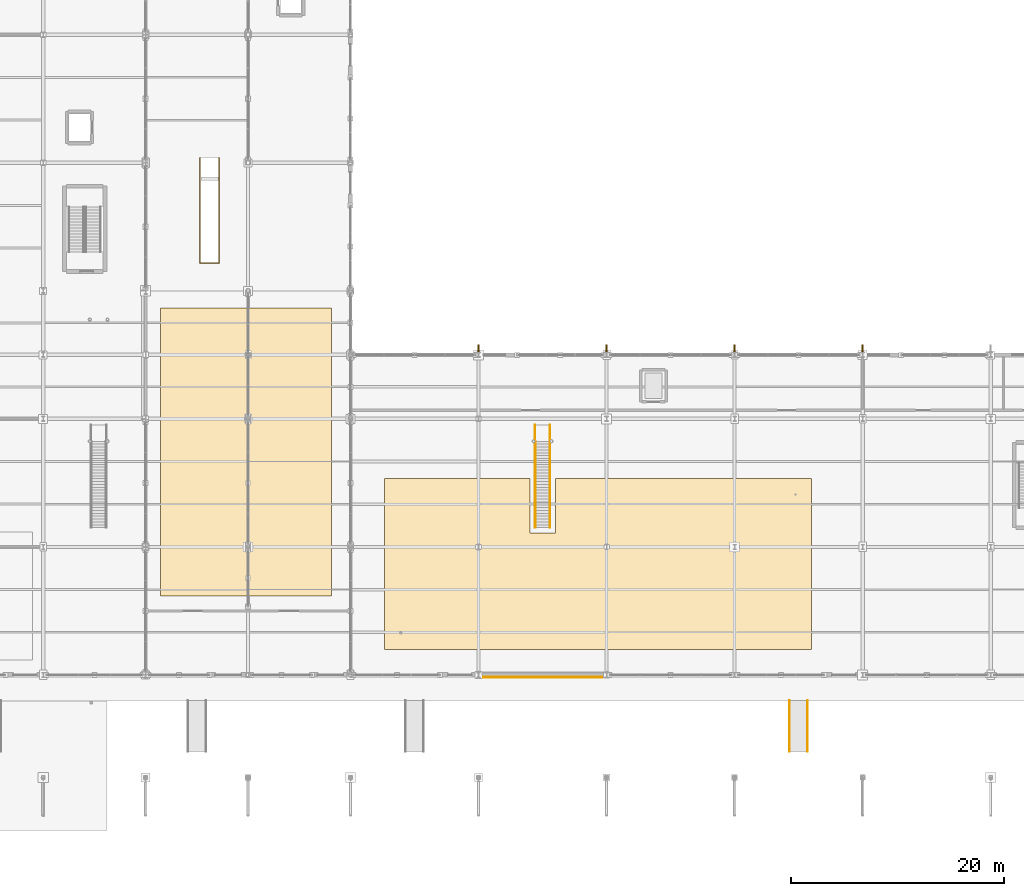
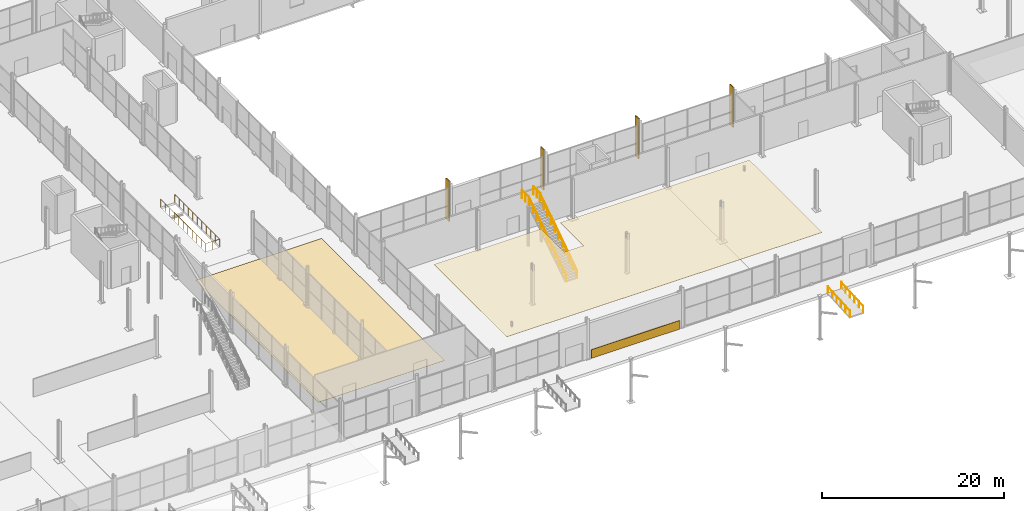
# One storey, part 191 of 196: 7 coverings, 7 railings.
"""IFC4 building model written with IfcOpenShell, lengths in metres."""

from ifc_helpers import new_model, si_unit, direction, frame, origin, origin_2d, place, context, subcontext, project, spatial, polyline, circle, outline, extrude, material, layer, layer_set, type_object, element, save


model = new_model("IFC4")

# Units and contexts
model_context = context("Model", 3, precision=1e-05, world=origin(), true_north=direction((0.0, 1.0)))
body_context = subcontext(model_context, "Body", "Model", "MODEL_VIEW")
ifc_project = project(units=[si_unit("LENGTHUNIT", "METRE"), si_unit("AREAUNIT", "SQUARE_METRE"), si_unit("VOLUMEUNIT", "CUBIC_METRE"), si_unit("PLANEANGLEUNIT", "RADIAN"), si_unit("MASSUNIT", "GRAM", prefix="KILO")], contexts=[model_context])

# Site, building, storey
site_placement = place(None, origin())
site = spatial("IfcSite", under=ifc_project, at=site_placement, CompositionType="ELEMENT")
building_placement = place(site_placement, origin())
building = spatial("IfcBuilding", under=site, at=building_placement, Name="Merenkruunu Market Hall", CompositionType="ELEMENT")
storey_placement = place(building_placement, origin())
storey = spatial("IfcBuildingStorey", under=building, at=storey_placement, Name="L00", CompositionType="ELEMENT", Elevation=0.0)

# Coverings
ifc_material_1 = material(Name="Precast concrete C40/50", Category="concrete")
ifc_layer_1 = layer(ifc_material_1, 0.139892578125)
ifc_layer_set_1 = layer_set([ifc_layer_1], Name="Precast concrete C40/50")
covering_type_1 = type_object("IfcCoveringType", Name="Architectural Precast Sun Fin CLD02", PredefinedType="CLADDING", material=ifc_layer_set_1)
covering_1_placement = place(storey_placement, origin())
element("IfcCovering", 1, at=covering_1_placement, inside=storey, type_object=covering_type_1, Name="FIN-N-L00-054", PredefinedType="CLADDING", context=body_context, shape_type="SweptSolid", body=[
    extrude(outline(polyline([(88.72998046875, 45.818115234375), (88.8701171875, 45.818115234375), (88.8701171875, 46.5400390625), (88.72998046875, 46.5400390625), (88.72998046875, 45.818115234375)])), origin(), (0.0, 0.0, 1.0), 5.39990234375),
])
covering_2_placement = place(storey_placement, origin())
element("IfcCovering", 2, at=covering_2_placement, inside=storey, type_object=covering_type_1, Name="FIN-N-L00-057", PredefinedType="CLADDING", context=body_context, shape_type="SweptSolid", body=[
    extrude(outline(polyline([(100.72998046875, 45.818115234375), (100.8701171875, 45.818115234375), (100.8701171875, 46.5400390625), (100.72998046875, 46.5400390625), (100.72998046875, 45.818115234375)])), origin(), (0.0, 0.0, 1.0), 5.39990234375),
])
covering_3_placement = place(storey_placement, origin())
element("IfcCovering", 3, at=covering_3_placement, inside=storey, type_object=covering_type_1, Name="FIN-N-L00-060", PredefinedType="CLADDING", context=body_context, shape_type="SweptSolid", body=[
    extrude(outline(polyline([(112.72998046875, 45.818115234375), (112.8701171875, 45.818115234375), (112.8701171875, 46.5400390625), (112.72998046875, 46.5400390625), (112.72998046875, 45.818115234375)])), origin(), (0.0, 0.0, 1.0), 5.39990234375),
])
covering_4_placement = place(storey_placement, origin())
element("IfcCovering", 4, at=covering_4_placement, inside=storey, type_object=covering_type_1, Name="FIN-N-L00-063", PredefinedType="CLADDING", context=body_context, shape_type="SweptSolid", body=[
    extrude(outline(polyline([(124.72998046875, 45.818115234375), (124.8701171875, 45.818115234375), (124.8701171875, 46.5400390625), (124.72998046875, 46.5400390625), (124.72998046875, 45.818115234375)])), origin(), (0.0, 0.0, 1.0), 5.39990234375),
])

# Railings
ifc_material_2 = material(Name="Brushed stainless steel", Category="steel")
railing_type_1 = type_object("IfcRailingType", Name="Gallery Balustrade Guard GR01", PredefinedType="BALUSTRADE", material=ifc_material_2)
railing_1_placement = place(storey_placement, frame((62.7099609375, 64.050048828125, 0.0)))
element("IfcRailing", 5, at=railing_1_placement, inside=storey, type_object=railing_type_1, Name="RAIL-L00-0098", PredefinedType="BALUSTRADE", context=body_context, shape_type="SweptSolid", body=[
    extrude(circle(Radius=0.02392578125, at=origin_2d()), frame((0.0, 0.0, 1.076171875), z_axis=(0.0, -1.0, 0.0), x_axis=(1.0, 0.0, 0.0)), (0.0, 0.0, 1.0), 9.85009765625),
    extrude(circle(Radius=0.02392578125, at=origin_2d()), frame((0.0, -9.85009765625, 1.076171875), z_axis=(1.0, 0.0, 0.0), x_axis=(0.0, 1.0, 0.0)), (0.0, 0.0, 1.0), 1.780029296875),
    extrude(circle(Radius=0.02392578125, at=origin_2d()), frame((1.780029296875, -9.85009765625, 1.076171875), z_axis=(0.0, 1.0, 0.0), x_axis=(-1.0, 0.0, 0.0)), (0.0, 0.0, 1.0), 9.85009765625),
    extrude(circle(Radius=0.02099609375, at=origin_2d()), origin(), (0.0, 0.0, 1.0), 1.052001953125),
    extrude(circle(Radius=0.02099609375, at=origin_2d()), frame((0.0, -0.985107421875, 0.0)), (0.0, 0.0, 1.0), 1.052001953125),
    extrude(circle(Radius=0.02099609375, at=origin_2d()), frame((0.0, -1.969970703125, 0.0)), (0.0, 0.0, 1.0), 1.052001953125),
    extrude(circle(Radius=0.02099609375, at=origin_2d()), frame((0.0, -2.955078125, 0.0)), (0.0, 0.0, 1.0), 1.052001953125),
    extrude(circle(Radius=0.02099609375, at=origin_2d()), frame((0.0, -3.93994140625, 0.0)), (0.0, 0.0, 1.0), 1.052001953125),
    extrude(circle(Radius=0.02099609375, at=origin_2d()), frame((0.0, -4.925048828125, 0.0)), (0.0, 0.0, 1.0), 1.052001953125),
    extrude(circle(Radius=0.02099609375, at=origin_2d()), frame((0.0, -5.91015625, 0.0)), (0.0, 0.0, 1.0), 1.052001953125),
    extrude(circle(Radius=0.02099609375, at=origin_2d()), frame((0.0, -6.89501953125, 0.0)), (0.0, 0.0, 1.0), 1.052001953125),
    extrude(circle(Radius=0.02099609375, at=origin_2d()), frame((0.0, -7.880126953125, 0.0)), (0.0, 0.0, 1.0), 1.052001953125),
    extrude(circle(Radius=0.02099609375, at=origin_2d()), frame((0.0, -8.864990234375, 0.0)), (0.0, 0.0, 1.0), 1.052001953125),
    extrude(circle(Radius=0.02099609375, at=origin_2d()), frame((0.0, -9.85009765625, 0.0)), (0.0, 0.0, 1.0), 1.052001953125),
    extrude(circle(Radius=0.02099609375, at=origin_2d()), frame((0.89013671875, -9.85009765625, 0.0)), (0.0, 0.0, 1.0), 1.052001953125),
    extrude(circle(Radius=0.02099609375, at=origin_2d()), frame((1.780029296875, -9.85009765625, 0.0)), (0.0, 0.0, 1.0), 1.052001953125),
    extrude(circle(Radius=0.02099609375, at=origin_2d()), frame((1.780029296875, -8.864990234375, 0.0)), (0.0, 0.0, 1.0), 1.052001953125),
    extrude(circle(Radius=0.02099609375, at=origin_2d()), frame((1.780029296875, -7.880126953125, 0.0)), (0.0, 0.0, 1.0), 1.052001953125),
    extrude(circle(Radius=0.02099609375, at=origin_2d()), frame((1.780029296875, -6.89501953125, 0.0)), (0.0, 0.0, 1.0), 1.052001953125),
    extrude(circle(Radius=0.02099609375, at=origin_2d()), frame((1.780029296875, -5.91015625, 0.0)), (0.0, 0.0, 1.0), 1.052001953125),
    extrude(circle(Radius=0.02099609375, at=origin_2d()), frame((1.780029296875, -4.925048828125, 0.0)), (0.0, 0.0, 1.0), 1.052001953125),
    extrude(circle(Radius=0.02099609375, at=origin_2d()), frame((1.780029296875, -3.93994140625, 0.0)), (0.0, 0.0, 1.0), 1.052001953125),
    extrude(circle(Radius=0.02099609375, at=origin_2d()), frame((1.780029296875, -2.955078125, 0.0)), (0.0, 0.0, 1.0), 1.052001953125),
    extrude(circle(Radius=0.02099609375, at=origin_2d()), frame((1.780029296875, -1.969970703125, 0.0)), (0.0, 0.0, 1.0), 1.052001953125),
    extrude(circle(Radius=0.02099609375, at=origin_2d()), frame((1.780029296875, -0.985107421875, 0.0)), (0.0, 0.0, 1.0), 1.052001953125),
    extrude(circle(Radius=0.02099609375, at=origin_2d()), frame((1.780029296875, 0.0, 0.0)), (0.0, 0.0, 1.0), 1.052001953125),
])
railing_2_placement = place(storey_placement, frame((94.090087890625, 29.39990234375, 0.0)))
element("IfcRailing", 6, at=railing_2_placement, inside=storey, type_object=railing_type_1, Name="RAIL-L00-0109", PredefinedType="BALUSTRADE", context=body_context, shape_type="SweptSolid", body=[
    extrude(circle(Radius=0.02392578125, at=origin_2d()), frame((0.0, 0.0, 1.076171875), z_axis=(0.0, 0.832058010752, 0.55468862143), x_axis=(-1.0, 0.0, 0.0)), (0.0, 0.0, 1.0), 9.735107421875),
    extrude(circle(Radius=0.02392578125, at=origin_2d()), frame((0.0, 8.10009765625, 6.47607421875), z_axis=(0.0, 1.0, 0.0), x_axis=(-1.0, 0.0, 0.0)), (0.0, 0.0, 1.0), 1.530029296875),
    extrude(circle(Radius=0.02099609375, at=origin_2d()), origin(), (0.0, 0.0, 1.0), 1.052001953125),
    extrude(circle(Radius=0.02099609375, at=origin_2d()), frame((0.0, 0.81005859375, 0.5400390625)), (0.0, 0.0, 1.0), 1.052001953125),
    extrude(circle(Radius=0.02099609375, at=origin_2d()), frame((0.0, 1.6201171875, 1.080078125)), (0.0, 0.0, 1.0), 1.052001953125),
    extrude(circle(Radius=0.02099609375, at=origin_2d()), frame((0.0, 2.429931640625, 1.619873046875)), (0.0, 0.0, 1.0), 1.052001953125),
    extrude(circle(Radius=0.02099609375, at=origin_2d()), frame((0.0, 3.239990234375, 2.159912109375)), (0.0, 0.0, 1.0), 1.052001953125),
    extrude(circle(Radius=0.02099609375, at=origin_2d()), frame((0.0, 4.050048828125, 2.699951171875)), (0.0, 0.0, 1.0), 1.052001953125),
    extrude(circle(Radius=0.02099609375, at=origin_2d()), frame((0.0, 4.860107421875, 3.239990234375)), (0.0, 0.0, 1.0), 1.052001953125),
    extrude(circle(Radius=0.02099609375, at=origin_2d()), frame((0.0, 5.670166015625, 3.780029296875)), (0.0, 0.0, 1.0), 1.052001953125),
    extrude(circle(Radius=0.02099609375, at=origin_2d()), frame((0.0, 6.47998046875, 4.31982421875)), (0.0, 0.0, 1.0), 1.052001953125),
    extrude(circle(Radius=0.02099609375, at=origin_2d()), frame((0.0, 7.2900390625, 4.85986328125)), (0.0, 0.0, 1.0), 1.052001953125),
    extrude(circle(Radius=0.02099609375, at=origin_2d()), frame((0.0, 8.10009765625, 5.39990234375)), (0.0, 0.0, 1.0), 1.052001953125),
    extrude(circle(Radius=0.02099609375, at=origin_2d()), frame((0.0, 8.865234375, 5.39990234375)), (0.0, 0.0, 1.0), 1.052001953125),
    extrude(circle(Radius=0.02099609375, at=origin_2d()), frame((0.0, 9.630126953125, 5.39990234375)), (0.0, 0.0, 1.0), 1.052001953125),
])
railing_3_placement = place(storey_placement, frame((95.510009765625, 29.39990234375, 0.0)))
element("IfcRailing", 7, at=railing_3_placement, inside=storey, type_object=railing_type_1, Name="RAIL-L00-0111", PredefinedType="BALUSTRADE", context=body_context, shape_type="SweptSolid", body=[
    extrude(circle(Radius=0.02392578125, at=origin_2d()), frame((0.0, 0.0, 1.076171875), z_axis=(0.0, 0.832058010752, 0.55468862143), x_axis=(-1.0, 0.0, 0.0)), (0.0, 0.0, 1.0), 9.735107421875),
    extrude(circle(Radius=0.02392578125, at=origin_2d()), frame((0.0, 8.10009765625, 6.47607421875), z_axis=(0.0, 1.0, 0.0), x_axis=(-1.0, 0.0, 0.0)), (0.0, 0.0, 1.0), 1.530029296875),
    extrude(circle(Radius=0.02099609375, at=origin_2d()), origin(), (0.0, 0.0, 1.0), 1.052001953125),
    extrude(circle(Radius=0.02099609375, at=origin_2d()), frame((0.0, 0.81005859375, 0.5400390625)), (0.0, 0.0, 1.0), 1.052001953125),
    extrude(circle(Radius=0.02099609375, at=origin_2d()), frame((0.0, 1.6201171875, 1.080078125)), (0.0, 0.0, 1.0), 1.052001953125),
    extrude(circle(Radius=0.02099609375, at=origin_2d()), frame((0.0, 2.429931640625, 1.619873046875)), (0.0, 0.0, 1.0), 1.052001953125),
    extrude(circle(Radius=0.02099609375, at=origin_2d()), frame((0.0, 3.239990234375, 2.159912109375)), (0.0, 0.0, 1.0), 1.052001953125),
    extrude(circle(Radius=0.02099609375, at=origin_2d()), frame((0.0, 4.050048828125, 2.699951171875)), (0.0, 0.0, 1.0), 1.052001953125),
    extrude(circle(Radius=0.02099609375, at=origin_2d()), frame((0.0, 4.860107421875, 3.239990234375)), (0.0, 0.0, 1.0), 1.052001953125),
    extrude(circle(Radius=0.02099609375, at=origin_2d()), frame((0.0, 5.670166015625, 3.780029296875)), (0.0, 0.0, 1.0), 1.052001953125),
    extrude(circle(Radius=0.02099609375, at=origin_2d()), frame((0.0, 6.47998046875, 4.31982421875)), (0.0, 0.0, 1.0), 1.052001953125),
    extrude(circle(Radius=0.02099609375, at=origin_2d()), frame((0.0, 7.2900390625, 4.85986328125)), (0.0, 0.0, 1.0), 1.052001953125),
    extrude(circle(Radius=0.02099609375, at=origin_2d()), frame((0.0, 8.10009765625, 5.39990234375)), (0.0, 0.0, 1.0), 1.052001953125),
    extrude(circle(Radius=0.02099609375, at=origin_2d()), frame((0.0, 8.865234375, 5.39990234375)), (0.0, 0.0, 1.0), 1.052001953125),
    extrude(circle(Radius=0.02099609375, at=origin_2d()), frame((0.0, 9.630126953125, 5.39990234375)), (0.0, 0.0, 1.0), 1.052001953125),
])

# Coverings
ifc_material_3 = material(Name="Lacquered Nordic birch", Category="wood")
ifc_layer_2 = layer(ifc_material_3, 0.044921875)
ifc_layer_set_2 = layer_set([ifc_layer_2], Name="Lacquered Nordic birch")
covering_type_2 = type_object("IfcCoveringType", Name="Nordic Birch Acoustic Ceiling CLG01", PredefinedType="CEILING", material=ifc_layer_set_2)
covering_5_placement = place(storey_placement, frame((0.0, 0.0, 4.449951171875)))
element("IfcCovering", 8, at=covering_5_placement, inside=storey, type_object=covering_type_2, Name="COV-CLG-L00-1", PredefinedType="CEILING", context=body_context, shape_type="SweptSolid", body=[
    extrude(outline(polyline([(120.0, 34.0), (120.0, 18.0), (80.0, 18.0), (80.0, 34.0), (93.60009765625, 34.0), (93.60009765625, 28.89990234375), (96.0, 28.89990234375), (96.0, 34.0), (120.0, 34.0)])), origin(), (0.0, 0.0, 1.0), 0.045166015625),
])
ifc_material_4 = material(Name="Kuru grey granite", Category="masonry")
ifc_layer_3 = layer(ifc_material_4, 0.070068359375)
ifc_layer_set_3 = layer_set([ifc_layer_3], Name="Kuru grey granite")
covering_type_3 = type_object("IfcCoveringType", Name="Precast Granite Plinth Cladding CLD01", PredefinedType="CLADDING", material=ifc_layer_set_3)
covering_6_placement = place(storey_placement, origin())
element("IfcCovering", 9, at=covering_6_placement, inside=storey, type_object=covering_type_3, Name="CLD-S1", PredefinedType="CLADDING", context=body_context, shape_type="SweptSolid", body=[
    extrude(outline(polyline([(89.199951171875, 15.340087890625), (100.39990234375, 15.340087890625), (100.39990234375, 15.409912109375), (89.199951171875, 15.409912109375), (89.199951171875, 15.340087890625)])), origin(), (0.0, 0.0, 1.0), 1.14990234375),
])

# Railings
railing_type_2 = type_object("IfcRailingType", Name="Stair Pitch Handrail HR01", PredefinedType="HANDRAIL", material=ifc_material_2)
for number, where, name in (
    (10, (94.1201171875, 29.39990234375, 0.0), "RAIL-L00-0110"),
    (11, (95.47998046875, 29.39990234375, 0.0), "RAIL-L00-0112"),
):
    element("IfcRailing", number, at=place(storey_placement, frame(where)), inside=storey, type_object=railing_type_2, Name=name, PredefinedType="HANDRAIL", context=body_context, shape_type="SweptSolid", body=[
        extrude(circle(Radius=0.02392578125, at=origin_2d()), frame((0.0, 0.0, 0.8759765625), z_axis=(0.0, 0.832058010752, 0.55468862143), x_axis=(-1.0, 0.0, 0.0)), (0.0, 0.0, 1.0), 9.735107421875),
        extrude(circle(Radius=0.02099609375, at=origin_2d()), origin(), (0.0, 0.0, 1.0), 0.851806640625),
        extrude(circle(Radius=0.02099609375, at=origin_2d()), frame((0.0, 0.81005859375, 0.5400390625)), (0.0, 0.0, 1.0), 0.851806640625),
        extrude(circle(Radius=0.02099609375, at=origin_2d()), frame((0.0, 1.6201171875, 1.080078125)), (0.0, 0.0, 1.0), 0.851806640625),
        extrude(circle(Radius=0.02099609375, at=origin_2d()), frame((0.0, 2.429931640625, 1.619873046875)), (0.0, 0.0, 1.0), 0.851806640625),
        extrude(circle(Radius=0.02099609375, at=origin_2d()), frame((0.0, 3.239990234375, 2.159912109375)), (0.0, 0.0, 1.0), 0.851806640625),
        extrude(circle(Radius=0.02099609375, at=origin_2d()), frame((0.0, 4.050048828125, 2.699951171875)), (0.0, 0.0, 1.0), 0.851806640625),
        extrude(circle(Radius=0.02099609375, at=origin_2d()), frame((0.0, 4.860107421875, 3.239990234375)), (0.0, 0.0, 1.0), 0.851806640625),
        extrude(circle(Radius=0.02099609375, at=origin_2d()), frame((0.0, 5.670166015625, 3.780029296875)), (0.0, 0.0, 1.0), 0.851806640625),
        extrude(circle(Radius=0.02099609375, at=origin_2d()), frame((0.0, 6.47998046875, 4.31982421875)), (0.0, 0.0, 1.0), 0.851806640625),
        extrude(circle(Radius=0.02099609375, at=origin_2d()), frame((0.0, 7.2900390625, 4.85986328125)), (0.0, 0.0, 1.0), 0.851806640625),
        extrude(circle(Radius=0.02099609375, at=origin_2d()), frame((0.0, 8.10009765625, 5.39990234375)), (0.0, 0.0, 1.0), 0.851806640625),
    ])
for number, where, name in (
    (12, (117.949951171875, 8.39990234375, -0.300048828125), "RAIL-L00-0129"),
    (13, (119.64990234375, 8.39990234375, -0.300048828125), "RAIL-L00-0130"),
):
    element("IfcRailing", number, at=place(storey_placement, frame(where)), inside=storey, type_object=railing_type_2, Name=name, PredefinedType="HANDRAIL", context=body_context, shape_type="SweptSolid", body=[
        extrude(circle(Radius=0.02392578125, at=origin_2d()), frame((0.0, 0.0, 0.8759765625), z_axis=(0.0, 0.998051985873, 0.062387767186), x_axis=(-1.0, 0.0, 0.0)), (0.0, 0.0, 1.0), 4.809326171875),
        extrude(circle(Radius=0.02099609375, at=origin_2d()), origin(), (0.0, 0.0, 1.0), 0.851806640625),
        extrude(circle(Radius=0.02099609375, at=origin_2d()), frame((0.0, 0.9599609375, 0.06005859375)), (0.0, 0.0, 1.0), 0.851806640625),
        extrude(circle(Radius=0.02099609375, at=origin_2d()), frame((0.0, 1.919921875, 0.1201171875)), (0.0, 0.0, 1.0), 0.851806640625),
        extrude(circle(Radius=0.02099609375, at=origin_2d()), frame((0.0, 2.880126953125, 0.179931640625)), (0.0, 0.0, 1.0), 0.851806640625),
        extrude(circle(Radius=0.02099609375, at=origin_2d()), frame((0.0, 3.840087890625, 0.239990234375)), (0.0, 0.0, 1.0), 0.851806640625),
        extrude(circle(Radius=0.02099609375, at=origin_2d()), frame((0.0, 4.800048828125, 0.300048828125)), (0.0, 0.0, 1.0), 0.851806640625),
    ])

# Covering
ifc_material_5 = material(Name="Terrazzo stone flooring", Category="masonry")
ifc_layer_4 = layer(ifc_material_5, 0.030029296875)
ifc_layer_set_4 = layer_set([ifc_layer_4], Name="Terrazzo stone flooring")
covering_type_4 = type_object("IfcCoveringType", Name="Terrazzo Market Flooring FLR01", PredefinedType="FLOORING", material=ifc_layer_set_4)
covering_7_placement = place(storey_placement, origin())
element("IfcCovering", 14, at=covering_7_placement, inside=storey, type_object=covering_type_4, Name="COV-FLR-L00-4", PredefinedType="FLOORING", context=body_context, shape_type="SweptSolid", body=[
    extrude(outline(polyline([(59.0, 23.0), (59.0, 50.0), (75.0, 50.0), (75.0, 23.0), (59.0, 23.0)])), origin(), (0.0, 0.0, 1.0), 0.030029296875),
])

save(model, "model.ifc")
